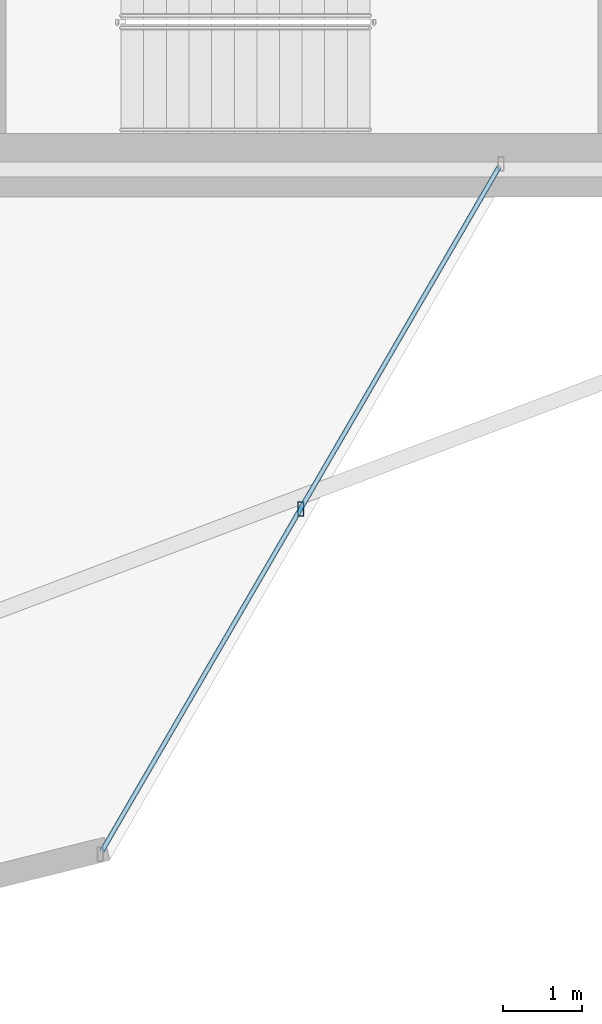
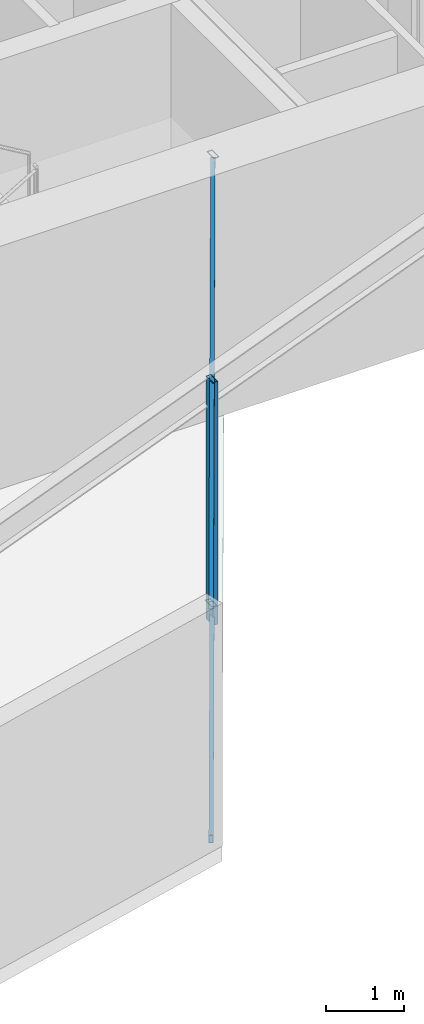
# One storey, part 12 of 25: 3 members, 1 element without a shape of its own.
"""IFC4 building model written with IfcOpenShell, lengths in metres."""

from ifc_helpers import new_model, si_unit, direction, frame, origin, origin_2d, place, context, subcontext, project, spatial, hollow_rectangle, extrude, material, layer, layer_set, material_profile, profile_set, type_object, element, aggregate, save


model = new_model("IFC4")

# Units and contexts
model_context = context("Model", 3, precision=1e-05, world=origin(), true_north=direction((0.0, 1.0)))
body_context = subcontext(model_context, "Body", "Model", "MODEL_VIEW")
ifc_project = project(units=[si_unit("LENGTHUNIT", "METRE"), si_unit("AREAUNIT", "SQUARE_METRE"), si_unit("VOLUMEUNIT", "CUBIC_METRE"), si_unit("PLANEANGLEUNIT", "RADIAN"), si_unit("MASSUNIT", "GRAM", prefix="KILO")], contexts=[model_context])

# Site, building, storey
site_placement = place(None, origin())
site = spatial("IfcSite", under=ifc_project, at=site_placement, CompositionType="ELEMENT")
building_placement = place(site_placement, origin())
building = spatial("IfcBuilding", under=site, at=building_placement, Name="Veymaron Broadcast Tower", CompositionType="ELEMENT")
storey_placement = place(building_placement, frame((0.0, 0.0, 173.550048828125)))
storey = spatial("IfcBuildingStorey", under=building, at=storey_placement, Name="L40", CompositionType="ELEMENT", Elevation=173.550048828125)

# Curtain wall, members
ifc_material_1 = material(Name="Anodised aluminium AA 6063-T6 and laminated low-E dark glass", Category="aluminium")
ifc_layer = layer(ifc_material_1, 0.179931640625)
ifc_layer_set = layer_set([ifc_layer], Name="Anodised aluminium AA 6063-T6 and laminated low-E dark glass")
curtain_wall_type = type_object("IfcCurtainWallType", Name="CW-SYS-03", PredefinedType="NOTDEFINED", material=ifc_layer_set)
curtain_wall_placement = place(storey_placement, origin())
curtain_wall = element("IfcCurtainWall", 1, at=curtain_wall_placement, inside=storey, type_object=curtain_wall_type, Name="L40 dark-glass curtain wall CW-L40-E20-1", PredefinedType="NOTDEFINED")
ifc_material_2 = material(Name="Anodised aluminium AA 6063-T6", Category="aluminium")
ifc_material_profile_1 = material_profile(ifc_material_2, hollow_rectangle(XDim=0.074951171875, YDim=0.179931640625, WallThickness=0.0048828125, at=origin_2d()), Name="AL180X75X5")
ifc_profile_set_1 = profile_set([ifc_material_profile_1], Name="Anodised aluminium AA 6063-T6")
member_type_1 = type_object("IfcMemberType", Name="CW-MUL-02", PredefinedType="MULLION", material=ifc_profile_set_1)
member_1_placement = place(storey_placement, frame((43.690673828125, 11.723388671875, 0.0), z_axis=(0.0, 0.0, 1.0), x_axis=(1.0, 0.0, 0.0)))
member_1 = element("IfcMember", 2, at=member_1_placement, type_object=member_type_1, Name="CW-L40-E20-1 mullion 1", PredefinedType="MULLION", context=body_context, shape_type="SweptSolid", body=[
    extrude(hollow_rectangle(XDim=0.074951171875, YDim=0.179931640625, WallThickness=0.0048828125, at=origin_2d()), origin(), (0.0, 0.0, 1.0), 3.81005859375),
])
ifc_material_profile_2 = material_profile(ifc_material_2, hollow_rectangle(XDim=0.06005859375, YDim=0.1201171875, WallThickness=0.00390625, at=origin_2d()), Name="AL120X60X4")
ifc_profile_set_2 = profile_set([ifc_material_profile_2], Name="Anodised aluminium AA 6063-T6")
member_type_2 = type_object("IfcMemberType", Name="CW-TRN-02", PredefinedType="USERDEFINED", material=ifc_profile_set_2)
member_2_placement = place(storey_placement, frame((41.19189453125, 7.41943359375, 0.070068359375), z_axis=(0.502084034237, 0.864818838003, 0.0), x_axis=(-0.864818838003, 0.502084034237, 0.0)))
member_2 = element("IfcMember", 3, at=member_2_placement, type_object=member_type_2, Name="CW-L40-E20-1 transom B", ObjectType="TRANSOM", PredefinedType="USERDEFINED", context=body_context, shape_type="SweptSolid", body=[
    extrude(hollow_rectangle(XDim=0.06005859375, YDim=0.1201171875, WallThickness=0.00390625, at=origin_2d()), origin(), (0.0, 0.0, 1.0), 9.953125),
])
member_3_placement = place(storey_placement, frame((41.19189453125, 7.41943359375, 3.739990234375), z_axis=(0.502084034237, 0.864818838003, 0.0), x_axis=(-0.864818838003, 0.502084034237, 0.0)))
member_3 = element("IfcMember", 4, at=member_3_placement, type_object=member_type_2, Name="CW-L40-E20-1 transom T", ObjectType="TRANSOM", PredefinedType="USERDEFINED", context=body_context, shape_type="SweptSolid", body=[
    extrude(hollow_rectangle(XDim=0.06005859375, YDim=0.1201171875, WallThickness=0.00390625, at=origin_2d()), origin(), (0.0, 0.0, 1.0), 9.953125),
])
aggregate(curtain_wall, [member_1, member_2, member_3])

save(model, "model.ifc")
